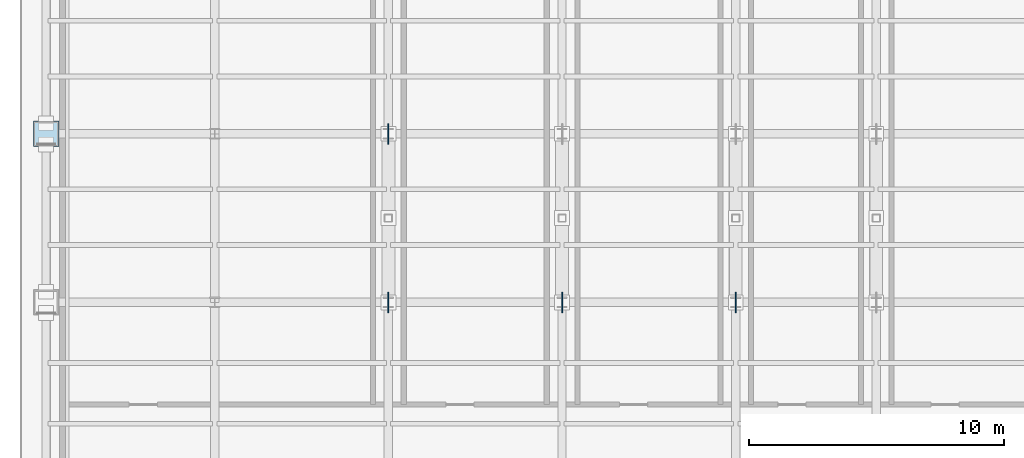
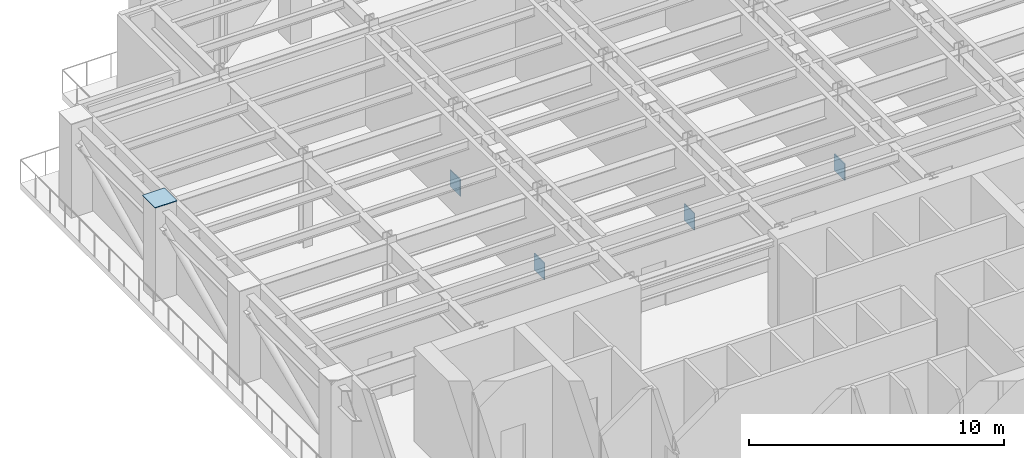
# One storey, part 5 of 14: 5 plates.
"""IFC4 building model written with IfcOpenShell, lengths in metres."""

from ifc_helpers import new_model, si_unit, derived_unit, direction, frame, origin, origin_2d, place, context, subcontext, project, spatial, rectangle, extrude, source, transform, mapped, material, layer, layer_set, type_object, element, save


model = new_model("IFC4")

# Units and contexts
model_context = context("Model", 3, precision=1e-05, world=origin(), true_north=direction((0.0, 1.0)))
body_context = subcontext(model_context, "Body", "Model", "MODEL_VIEW")
ifc_project = project(units=[si_unit("LENGTHUNIT", "METRE"), si_unit("AREAUNIT", "SQUARE_METRE"), si_unit("VOLUMEUNIT", "CUBIC_METRE"), si_unit("PLANEANGLEUNIT", "RADIAN"), si_unit("MASSUNIT", "GRAM", prefix="KILO"), derived_unit("THERMALTRANSMITTANCEUNIT", [(si_unit("POWERUNIT", "WATT"), 1), (si_unit("LENGTHUNIT", "METRE"), -2), (si_unit("THERMODYNAMICTEMPERATUREUNIT", "KELVIN"), -1)])], contexts=[model_context])

# Site, building, storey
site_placement = place(None, origin())
site = spatial("IfcSite", under=ifc_project, at=site_placement, CompositionType="ELEMENT")
building_placement = place(site_placement, origin())
building = spatial("IfcBuilding", under=site, at=building_placement, Name="Skarnbrae Concourse Arena and Tower", CompositionType="ELEMENT")
storey_placement = place(building_placement, frame((0.0, 0.0, 84.14990234375)))
storey = spatial("IfcBuildingStorey", under=building, at=storey_placement, Name="L20", CompositionType="ELEMENT", Elevation=84.14990234375)

# Plates
ifc_material = material(Name="Steel CSA G40.21 350W", Category="steel")
ifc_layer_1 = layer(ifc_material, 0.0400390625)
ifc_layer_set_1 = layer_set([ifc_layer_1], Name="Steel CSA G40.21 350W")
plate_type_1 = type_object("IfcPlateType", Name="PLT-NODE-OUTRIG", PredefinedType="USERDEFINED", material=ifc_layer_set_1)
shared_shape_1 = source(origin(), body_context, "Body", "SweptSolid", [
    extrude(rectangle(XDim=0.800048828125, YDim=0.0400390625, at=origin_2d()), origin(), (0.0, 0.0, 1.0), 0.800048828125),
])
for number, where, z_axis, x_axis, name in (
    (1, (14.39990234375, 21.199951171875, 0.14990234375), (0.0, 0.0, 1.0), (0.0, 1.0, 0.0), "L20 Outrigger node gusset plate ND-OR-01 #1S"),
    (2, (14.39990234375, 27.800048828125, 0.14990234375), (0.0, 0.0, 1.0), (0.0, 1.0, 0.0), "L20 Outrigger node gusset plate ND-OR-01 #1N"),
    (3, (21.199951171875, 21.199951171875, 0.14990234375), (0.0, 0.0, 1.0), (0.0, 1.0, 0.0), "L20 Outrigger node gusset plate ND-OR-01 #2S"),
    (4, (28.0, 21.199951171875, 0.14990234375), (0.0, 0.0, 1.0), (0.0, 1.0, 0.0), "L20 Outrigger node gusset plate ND-OR-01 #3S"),
):
    element("IfcPlate", number, at=place(storey_placement, frame(where, z_axis=z_axis, x_axis=x_axis)), inside=storey, type_object=plate_type_1, Name=name, ObjectType="GUSSET PLATE", PredefinedType="USERDEFINED", context=body_context, shape_type="MappedRepresentation", body=[
        mapped(shared_shape_1, transform((0.0, 0.0, 0.0))),
    ])
ifc_layer_2 = layer(ifc_material, 0.031982421875)
ifc_layer_set_2 = layer_set([ifc_layer_2], Name="Steel CSA G40.21 350W")
plate_type_2 = type_object("IfcPlateType", Name="PLT-CAP-BOX950", PredefinedType="USERDEFINED", material=ifc_layer_set_2)
shared_shape_2 = source(origin(), body_context, "Body", "SweptSolid", [
    extrude(rectangle(XDim=1.0, YDim=1.0, at=origin_2d()), origin(), (0.0, 0.0, 1.0), 0.031982421875),
])
plate_placement = place(storey_placement, frame((1.0, 27.800048828125, 4.4990234375), z_axis=(0.0, 0.0, 1.0), x_axis=(1.0, 0.0, 0.0)))
element("IfcPlate", 5, at=plate_placement, inside=storey, type_object=plate_type_2, Name="L20 Hollow column top cap plate 070", ObjectType="CAP PLATE", PredefinedType="USERDEFINED", context=body_context, shape_type="MappedRepresentation", body=[
    mapped(shared_shape_2, transform((0.0, 0.0, 0.0))),
])

save(model, "model.ifc")
